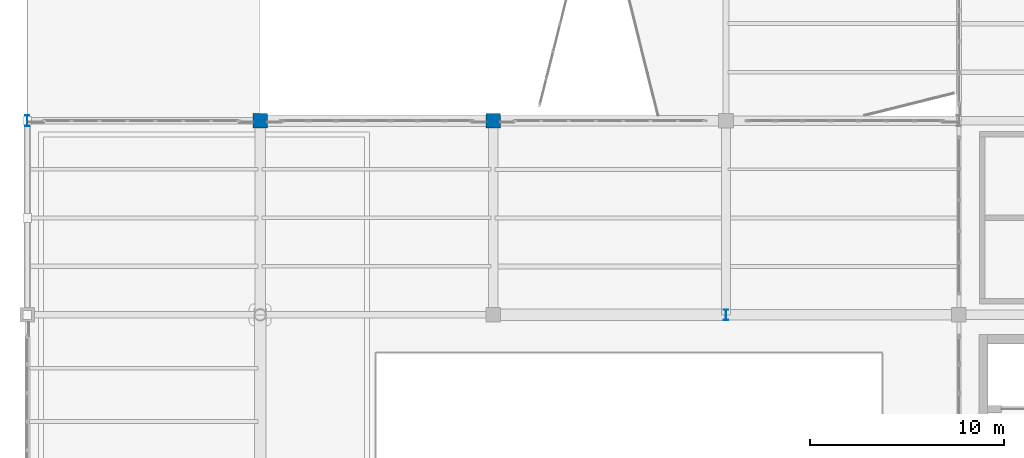
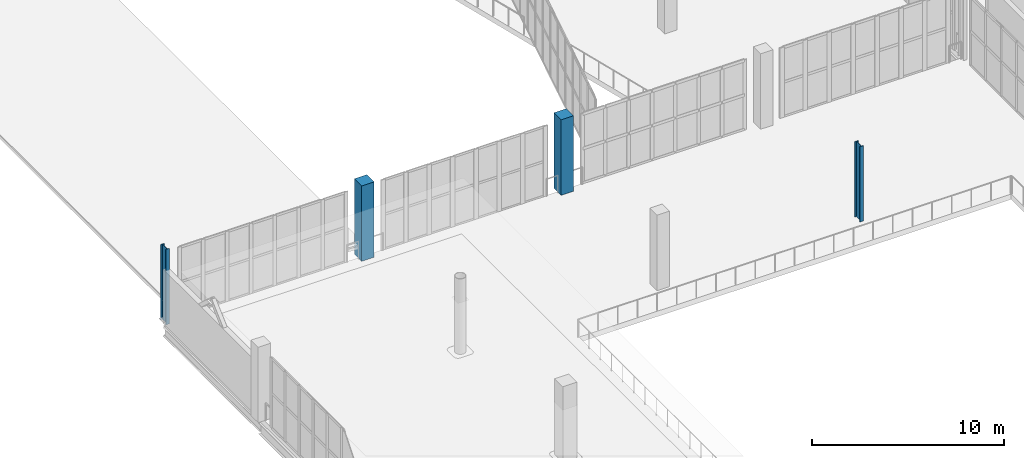
# One storey, part 3 of 136: 4 columns.
"""IFC4 building model written with IfcOpenShell, lengths in metres."""

from ifc_helpers import new_model, si_unit, direction, frame, origin, origin_2d, place, context, subcontext, project, spatial, rectangle, i_section, extrude, material, material_profile, profile_set, type_object, element, save


model = new_model("IFC4")

# Units and contexts
model_context = context("Model", 3, precision=1e-05, world=origin(), true_north=direction((0.0, 1.0)))
body_context = subcontext(model_context, "Body", "Model", "MODEL_VIEW")
ifc_project = project(units=[si_unit("LENGTHUNIT", "METRE"), si_unit("AREAUNIT", "SQUARE_METRE"), si_unit("VOLUMEUNIT", "CUBIC_METRE"), si_unit("PLANEANGLEUNIT", "RADIAN"), si_unit("MASSUNIT", "GRAM", prefix="KILO")], contexts=[model_context])

# Site, building, storey
site_placement = place(None, origin())
site = spatial("IfcSite", under=ifc_project, at=site_placement, CompositionType="ELEMENT")
building_placement = place(site_placement, origin())
building = spatial("IfcBuilding", under=site, at=building_placement, Name="Brinegate Civic Arena", CompositionType="ELEMENT")
storey_placement = place(building_placement, frame((0.0, 0.0, 5.39990234375)))
storey = spatial("IfcBuildingStorey", under=building, at=storey_placement, Name="L01", CompositionType="ELEMENT", Elevation=5.39990234375)

# Columns
ifc_material_1 = material(Name="Concrete C50/60", Category="concrete")
ifc_material_profile_1 = material_profile(ifc_material_1, rectangle(XDim=0.75, YDim=0.75, at=origin_2d()), Name="RC750X750")
ifc_profile_set_1 = profile_set([ifc_material_profile_1], Name="Concrete C50/60")
column_type_1 = type_object("IfcColumnType", Name="COL-CC08-750", PredefinedType="COLUMN", material=ifc_profile_set_1)
for number, where, z_axis, x_axis, name in (
    (1, (12.0, 52.0, 0.0), (0.0, 0.0, 1.0), (1.0, 0.0, 0.0), "Column COL-L01-2-F"),
    (2, (24.0, 52.0, 0.0), (0.0, 0.0, 1.0), (1.0, 0.0, 0.0), "Column COL-L01-3-F"),
):
    element("IfcColumn", number, at=place(storey_placement, frame(where, z_axis=z_axis, x_axis=x_axis)), inside=storey, type_object=column_type_1, Name=name, PredefinedType="COLUMN", context=body_context, shape_type="SweptSolid", body=[
        extrude(rectangle(XDim=0.75, YDim=0.75, at=origin_2d()), origin(), (0.0, 0.0, 1.0), 4.800048828125),
    ])
ifc_material_2 = material(Name="Steel S355", Category="steel")
ifc_material_profile_2 = material_profile(ifc_material_2, i_section(OverallWidth=0.2119140625, OverallDepth=0.5439453125, WebThickness=0.012939453125, FlangeThickness=0.02099609375, FilletRadius=0.01611328125, at=origin_2d()), Name="W530X123")
ifc_profile_set_2 = profile_set([ifc_material_profile_2], Name="Steel S355")
column_type_2 = type_object("IfcColumnType", Name="COL-SC02-W530", PredefinedType="COLUMN", material=ifc_profile_set_2)
for number, where, z_axis, x_axis, name in (
    (3, (0.0, 52.0, 0.0), (0.0, 0.0, 1.0), (1.0, 0.0, 0.0), "Column COL-L01-1-F"),
    (4, (36.0, 42.0, 0.0), (0.0, 0.0, 1.0), (1.0, 0.0, 0.0), "Column COL-L01-4-E"),
):
    element("IfcColumn", number, at=place(storey_placement, frame(where, z_axis=z_axis, x_axis=x_axis)), inside=storey, type_object=column_type_2, Name=name, PredefinedType="COLUMN", context=body_context, shape_type="SweptSolid", body=[
        extrude(i_section(OverallWidth=0.2119140625, OverallDepth=0.5439453125, WebThickness=0.012939453125, FlangeThickness=0.02099609375, FilletRadius=0.01611328125, at=origin_2d()), origin(), (0.0, 0.0, 1.0), 4.800048828125),
    ])

save(model, "model.ifc")
